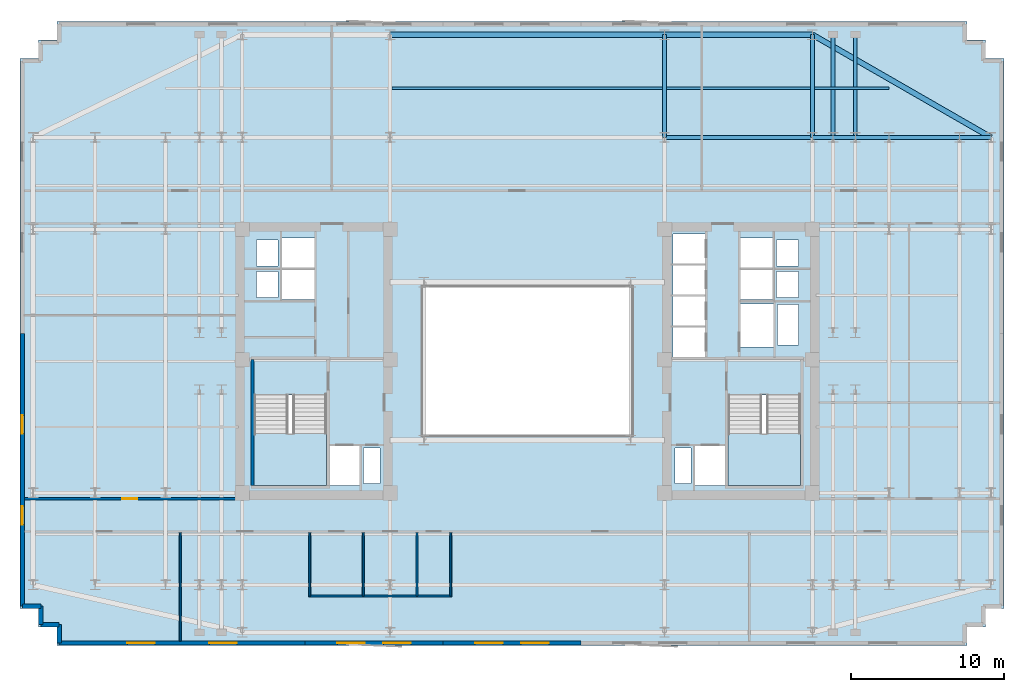
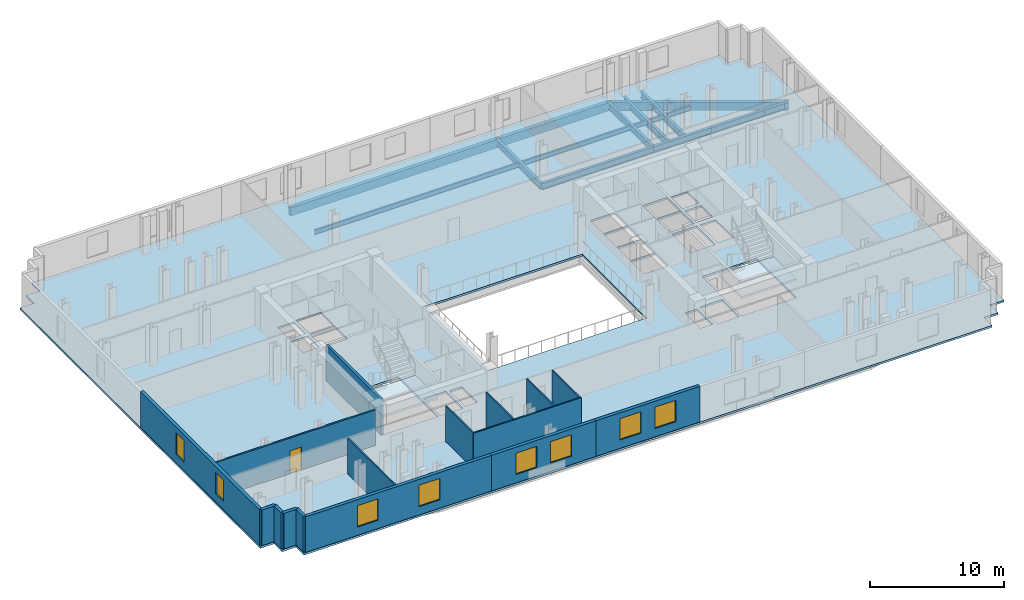
# One storey, part 3 of 10: 16 walls, 14 beams, 8 windows, 3 slabs, 1 door, 9 openings, 2 elements without a shape of their own.
"""IFC4 building model written with IfcOpenShell, lengths in metres."""

from ifc_helpers import new_model, si_unit, direction, frame, frame_2d, origin, origin_2d, place, context, subcontext, project, spatial, polyline, rectangle, i_section, outline, extrude, material, layer, layer_set, material_profile, profile_set, type_object, element, fill, aggregate, save


model = new_model("IFC4")

# Units and contexts
model_context = context("Model", 3, precision=1e-05, world=origin(), true_north=direction((0.0, 1.0)))
body_context = subcontext(model_context, "Body", "Model", "MODEL_VIEW")
ifc_project = project(units=[si_unit("LENGTHUNIT", "METRE"), si_unit("AREAUNIT", "SQUARE_METRE"), si_unit("VOLUMEUNIT", "CUBIC_METRE"), si_unit("PLANEANGLEUNIT", "RADIAN"), si_unit("MASSUNIT", "GRAM", prefix="KILO")], contexts=[model_context])

# Site, building, storey
site_placement = place(None, origin())
site = spatial("IfcSite", under=ifc_project, at=site_placement, CompositionType="ELEMENT")
building_placement = place(site_placement, origin())
building = spatial("IfcBuilding", under=site, at=building_placement, Name="Velakula Bourse", CompositionType="ELEMENT")
storey_placement = place(building_placement, frame((0.0, 0.0, 124.300048828125)))
storey = spatial("IfcBuildingStorey", under=building, at=storey_placement, Name="L33", CompositionType="ELEMENT", Elevation=124.300048828125)

# Beams
ifc_material_1 = material(Name="Steel IS 2062 Grade 350 (E350)", Category="steel")
ifc_material_profile_1 = material_profile(ifc_material_1, i_section(OverallWidth=0.25, OverallDepth=0.60009765625, WebThickness=0.01123046875, FlangeThickness=0.021240234375, at=origin_2d()), Name="Steel IS 2062 Grade 350 (E350)")
ifc_profile_set_1 = profile_set([ifc_material_profile_1], Name="Steel IS 2062 Grade 350 (E350)")
beam_type_1 = type_object("IfcBeamType", Name="BM-GRD-600M", PredefinedType="BEAM", material=ifc_profile_set_1)
beam_1_placement = place(storey_placement, frame((8.949951171875, 14.60009765625, -0.47998046875), z_axis=(1.0, 0.0, 0.0), x_axis=(0.0, 1.0, 0.0)))
element("IfcBeam", 1, at=beam_1_placement, inside=storey, type_object=beam_type_1, Name="L33 Fulcrum Grid Girder FLC-N3", PredefinedType="BEAM", context=body_context, shape_type="SweptSolid", body=[
    extrude(i_section(OverallWidth=0.25, OverallDepth=0.60009765625, WebThickness=0.01123046875, FlangeThickness=0.021240234375, at=origin_2d()), origin(), (0.0, 0.0, 1.0), 9.650146484375),
])
beam_2_placement = place(storey_placement, frame((18.60009765625, 14.60009765625, -0.47998046875), z_axis=(1.0, 0.0, 0.0), x_axis=(0.0, 1.0, 0.0)))
element("IfcBeam", 2, at=beam_2_placement, inside=storey, type_object=beam_type_1, Name="L33 Fulcrum Grid Girder MWG-EN2", PredefinedType="BEAM", context=body_context, shape_type="SweptSolid", body=[
    extrude(i_section(OverallWidth=0.25, OverallDepth=0.60009765625, WebThickness=0.01123046875, FlangeThickness=0.021240234375, at=origin_2d()), origin(), (0.0, 0.0, 1.0), 5.0),
])
beam_3_placement = place(storey_placement, frame((23.60009765625, 14.60009765625, -0.47998046875), z_axis=(1.0, 0.0, 0.0), x_axis=(0.0, 1.0, 0.0)))
element("IfcBeam", 3, at=beam_3_placement, inside=storey, type_object=beam_type_1, Name="L33 Fulcrum Grid Girder WNG-EN2", PredefinedType="BEAM", context=body_context, shape_type="SweptSolid", body=[
    extrude(i_section(OverallWidth=0.25, OverallDepth=0.60009765625, WebThickness=0.01123046875, FlangeThickness=0.021240234375, at=origin_2d()), origin(), (0.0, 0.0, 1.0), 4.599853515625),
])
for number, where, z_axis, x_axis, name in (
    (4, (8.949951171875, 14.60009765625, -0.47998046875), (0.0, 1.0, 0.0), (-1.0, 0.0, 0.0), "L33 Perimeter Tie Girder N3"),
    (5, (18.60009765625, 14.60009765625, -0.47998046875), (0.0, 1.0, 0.0), (-1.0, 0.0, 0.0), "L33 Perimeter Tie Girder N4"),
):
    element("IfcBeam", number, at=place(storey_placement, frame(where, z_axis=z_axis, x_axis=x_axis)), inside=storey, type_object=beam_type_1, Name=name, PredefinedType="BEAM", context=body_context, shape_type="SweptSolid", body=[
        extrude(i_section(OverallWidth=0.25, OverallDepth=0.60009765625, WebThickness=0.01123046875, FlangeThickness=0.021240234375, at=origin_2d()), origin(), (0.0, 0.0, 1.0), 6.699951171875),
    ])
beam_4_placement = place(storey_placement, frame((28.199951171875, 14.60009765625, -0.47998046875), z_axis=(1.0, 0.0, 0.0), x_axis=(0.0, 1.0, 0.0)))
element("IfcBeam", 6, at=beam_4_placement, inside=storey, type_object=beam_type_1, Name="L33 Perimeter Tie Girder E4", PredefinedType="BEAM", context=body_context, shape_type="SweptSolid", body=[
    extrude(i_section(OverallWidth=0.25, OverallDepth=0.60009765625, WebThickness=0.01123046875, FlangeThickness=0.021240234375, at=origin_2d()), origin(), (0.0, 0.0, 1.0), 2.050048828125),
])
for number, where, z_axis, x_axis, name in (
    (7, (19.949951171875, 14.60009765625, -0.47998046875), (0.0, 1.0, 0.0), (-1.0, 0.0, 0.0), "L33 Perimeter Tie Girder P07"),
    (8, (21.39990234375, 14.60009765625, -0.47998046875), (0.0, 1.0, 0.0), (-1.0, 0.0, 0.0), "L33 Perimeter Tie Girder P08"),
):
    element("IfcBeam", number, at=place(storey_placement, frame(where, z_axis=z_axis, x_axis=x_axis)), inside=storey, type_object=beam_type_1, Name=name, PredefinedType="BEAM", context=body_context, shape_type="SweptSolid", body=[
        extrude(i_section(OverallWidth=0.25, OverallDepth=0.60009765625, WebThickness=0.01123046875, FlangeThickness=0.021240234375, at=origin_2d()), origin(), (0.0, 0.0, 1.0), 6.699951171875),
    ])
ifc_material_profile_2 = material_profile(ifc_material_1, i_section(OverallWidth=0.14990234375, OverallDepth=0.449951171875, WebThickness=0.009521484375, FlangeThickness=0.017333984375, at=origin_2d()), Name="Steel IS 2062 Grade 350 (E350)")
ifc_profile_set_2 = profile_set([ifc_material_profile_2], Name="Steel IS 2062 Grade 350 (E350)")
beam_type_2 = type_object("IfcBeamType", Name="JST-TWR-450", PredefinedType="JOIST", material=ifc_profile_set_2)
beam_5_placement = place(storey_placement, frame((-8.824951171875, 17.800048828125, -0.405029296875), z_axis=(1.0, 0.0, 0.0), x_axis=(0.0, 1.0, 0.0)))
element("IfcBeam", 9, at=beam_5_placement, inside=storey, type_object=beam_type_2, Name="L33 Trading Floor Composite Joist 19", PredefinedType="JOIST", context=body_context, shape_type="SweptSolid", body=[
    extrude(i_section(OverallWidth=0.14990234375, OverallDepth=0.449951171875, WebThickness=0.009521484375, FlangeThickness=0.017333984375, at=origin_2d()), origin(), (0.0, 0.0, 1.0), 17.64990234375),
])
beam_6_placement = place(storey_placement, frame((9.074951171875, 17.800048828125, -0.405029296875), z_axis=(1.0, 0.0, 0.0), x_axis=(0.0, 1.0, 0.0)))
element("IfcBeam", 10, at=beam_6_placement, inside=storey, type_object=beam_type_2, Name="L33 Trading Floor Composite Joist 20", PredefinedType="JOIST", context=body_context, shape_type="SweptSolid", body=[
    extrude(i_section(OverallWidth=0.14990234375, OverallDepth=0.449951171875, WebThickness=0.009521484375, FlangeThickness=0.017333984375, at=origin_2d()), origin(), (0.0, 0.0, 1.0), 9.400146484375),
])
beam_7_placement = place(storey_placement, frame((18.72509765625, 17.800048828125, -0.405029296875), z_axis=(1.0, 0.0, 0.0), x_axis=(0.0, 1.0, 0.0)))
element("IfcBeam", 11, at=beam_7_placement, inside=storey, type_object=beam_type_2, Name="L33 Trading Floor Composite Joist 21", PredefinedType="JOIST", context=body_context, shape_type="SweptSolid", body=[
    extrude(i_section(OverallWidth=0.14990234375, OverallDepth=0.449951171875, WebThickness=0.009521484375, FlangeThickness=0.017333984375, at=origin_2d()), origin(), (0.0, 0.0, 1.0), 4.875),
])
ifc_material_2 = material(Name="Precast concrete M45 (fck 45 MPa)", Category="concrete")
ifc_material_profile_3 = material_profile(ifc_material_2, rectangle(XDim=0.35009765625, YDim=0.75, at=origin_2d()), Name="Precast concrete M45 (fck 45 MPa)")
ifc_profile_set_3 = profile_set([ifc_material_profile_3], Name="Precast concrete M45 (fck 45 MPa)")
beam_type_3 = type_object("IfcBeamType", Name="SPN-BRICK-750", PredefinedType="SPANDREL", material=ifc_profile_set_3)
beam_8_placement = place(storey_placement, frame((-8.949951171875, 21.300048828125, -0.554931640625), z_axis=(1.0, 0.0, 0.0), x_axis=(0.0, 1.0, 0.0)))
element("IfcBeam", 12, at=beam_8_placement, inside=storey, type_object=beam_type_3, Name="L33 Brick-Faced Precast Spandrel N2-N3", PredefinedType="SPANDREL", context=body_context, shape_type="SweptSolid", body=[
    extrude(rectangle(XDim=0.35009765625, YDim=0.75, at=origin_2d()), origin(), (0.0, 0.0, 1.0), 17.89990234375),
])
beam_9_placement = place(storey_placement, frame((8.949951171875, 21.300048828125, -0.554931640625), z_axis=(1.0, 0.0, 0.0), x_axis=(0.0, 1.0, 0.0)))
element("IfcBeam", 13, at=beam_9_placement, inside=storey, type_object=beam_type_3, Name="L33 Brick-Faced Precast Spandrel N3-N4", PredefinedType="SPANDREL", context=body_context, shape_type="SweptSolid", body=[
    extrude(rectangle(XDim=0.35009765625, YDim=0.75, at=origin_2d()), origin(), (0.0, 0.0, 1.0), 9.650146484375),
])
beam_10_placement = place(storey_placement, frame((30.25, 14.60009765625, -0.554931640625), z_axis=(-0.866865871572, 0.498541433286, 0.0), x_axis=(-0.498541433286, -0.866865871572, 0.0)))
element("IfcBeam", 14, at=beam_10_placement, inside=storey, type_object=beam_type_3, Name="L33 Brick-Faced Precast Spandrel E4-N4", PredefinedType="SPANDREL", context=body_context, shape_type="SweptSolid", body=[
    extrude(rectangle(XDim=0.35009765625, YDim=0.75, at=origin_2d()), origin(), (0.0, 0.0, 1.0), 13.439208984375),
])

# Stair, slab
ifc_material_3 = material(Name="Concrete M45 (fck 45 MPa)", Category="concrete")
stair_type = type_object("IfcStairType", Name="STR-DOG-390", PredefinedType="HALF_TURN_STAIR", material=ifc_material_3)
stair_1_placement = place(storey_placement, origin())
stair_1 = element("IfcStair", 15, at=stair_1_placement, inside=storey, type_object=stair_type, Name="L33 West Core Exit Stair ST-W1", PredefinedType="HALF_TURN_STAIR")
ifc_layer_1 = layer(ifc_material_3, 0.199951171875, Name="Concrete M45 (fck 45 MPa)", Category="concrete")
ifc_layer_set_1 = layer_set([ifc_layer_1], Name="Concrete M45 (fck 45 MPa)")
slab_type_1 = type_object("IfcSlabType", Name="SLB-STAIR-LND-200", PredefinedType="LANDING", material=ifc_layer_set_1)
slab_1_placement = place(storey_placement, frame((0.0, 0.0, 1.52490234375)))
slab_1 = element("IfcSlab", 16, at=slab_1_placement, type_object=slab_type_1, Name="ST-W1 landing 1", PredefinedType="LANDING", context=body_context, shape_type="SweptSolid", body=[
    extrude(outline(polyline([(-17.820068359375, -4.719970703125), (-17.820068359375, -8.10009765625), (-13.10009765625, -8.10009765625), (-13.10009765625, -4.719970703125), (-17.820068359375, -4.719970703125)])), origin(), (0.0, 0.0, 1.0), 0.199951171875),
])
aggregate(stair_1, [slab_1])

stair_2_placement = place(storey_placement, origin())
stair_2 = element("IfcStair", 17, at=stair_2_placement, inside=storey, type_object=stair_type, Name="L33 East Core Exit Stair ST-E1", PredefinedType="HALF_TURN_STAIR")
slab_2_placement = place(storey_placement, frame((0.0, 0.0, 1.52490234375)))
slab_2 = element("IfcSlab", 18, at=slab_2_placement, type_object=slab_type_1, Name="ST-E1 landing 1", PredefinedType="LANDING", context=body_context, shape_type="SweptSolid", body=[
    extrude(outline(polyline([(13.10009765625, -4.719970703125), (13.10009765625, -8.10009765625), (17.820068359375, -8.10009765625), (17.820068359375, -4.719970703125), (13.10009765625, -4.719970703125)])), origin(), (0.0, 0.0, 1.0), 0.199951171875),
])
aggregate(stair_2, [slab_2])

# Slab
ifc_material_4 = material(Name="Concrete M50 (fck 50 MPa)", Category="concrete")
ifc_layer_2 = layer(ifc_material_4, 0.179931640625, Name="Concrete M50 (fck 50 MPa)", Category="concrete")
ifc_layer_set_2 = layer_set([ifc_layer_2], Name="Concrete M50 (fck 50 MPa)")
slab_type_2 = type_object("IfcSlabType", Name="SLB-TWR-180", PredefinedType="FLOOR", material=ifc_layer_set_2)
slab_3_placement = place(storey_placement, frame((0.0, 0.0, -0.179931640625)))
element("IfcSlab", 19, at=slab_3_placement, inside=storey, type_object=slab_type_2, Name="L33 Suspended Structural Floor Slab", PredefinedType="FLOOR", context=body_context, shape_type="SweptSolid", body=[
    extrude(outline(polyline([(-30.699951171875, -18.550048828125), (28.699951171875, -18.550048828125), (28.699951171875, -17.35009765625), (29.89990234375, -17.35009765625), (29.89990234375, -16.14990234375), (31.10009765625, -16.14990234375), (31.10009765625, 19.75), (29.89990234375, 19.75), (29.89990234375, 20.949951171875), (28.699951171875, 20.949951171875), (28.699951171875, 22.14990234375), (-30.699951171875, 22.14990234375), (-30.699951171875, 20.949951171875), (-31.89990234375, 20.949951171875), (-31.89990234375, 19.75), (-33.10009765625, 19.75), (-33.10009765625, -16.14990234375), (-31.89990234375, -16.14990234375), (-31.89990234375, -17.35009765625), (-30.699951171875, -17.35009765625), (-30.699951171875, -18.550048828125)]), holes=[polyline([(-17.820068359375, -8.10009765625), (-13.10009765625, -8.10009765625), (-13.10009765625, -2.199951171875), (-17.820068359375, -2.199951171875), (-17.820068359375, -8.10009765625)]), polyline([(13.10009765625, -8.10009765625), (17.820068359375, -8.10009765625), (17.820068359375, -2.199951171875), (13.10009765625, -2.199951171875), (13.10009765625, -8.10009765625)]), polyline([(-12.89990234375, -8.10009765625), (-10.949951171875, -8.10009765625), (-10.949951171875, -5.550048828125), (-12.89990234375, -5.550048828125), (-12.89990234375, -8.10009765625)]), polyline([(10.949951171875, -8.10009765625), (12.89990234375, -8.10009765625), (12.89990234375, -5.550048828125), (10.949951171875, -5.550048828125), (10.949951171875, -8.10009765625)]), polyline([(13.89990234375, 0.919921875), (16.050048828125, 0.919921875), (16.050048828125, 3.719970703125), (13.89990234375, 3.719970703125), (13.89990234375, 0.919921875)]), polyline([(-10.679931640625, -7.97998046875), (-9.6201171875, -7.97998046875), (-9.6201171875, -5.669921875), (-10.679931640625, -5.669921875), (-10.679931640625, -7.97998046875)]), polyline([(-17.679931640625, 4.139892578125), (-16.27001953125, 4.139892578125), (-16.27001953125, 5.85009765625), (-17.679931640625, 5.85009765625), (-17.679931640625, 4.139892578125)]), polyline([(-17.679931640625, 6.2099609375), (-16.27001953125, 6.2099609375), (-16.27001953125, 7.919921875), (-17.679931640625, 7.919921875), (-17.679931640625, 6.2099609375)]), polyline([(9.6201171875, -7.97998046875), (10.679931640625, -7.97998046875), (10.679931640625, -5.669921875), (9.6201171875, -5.669921875), (9.6201171875, -7.97998046875)]), polyline([(16.27001953125, 4.139892578125), (17.679931640625, 4.139892578125), (17.679931640625, 5.85009765625), (16.27001953125, 5.85009765625), (16.27001953125, 4.139892578125)]), polyline([(16.27001953125, 6.2099609375), (17.679931640625, 6.2099609375), (17.679931640625, 7.919921875), (16.27001953125, 7.919921875), (16.27001953125, 6.2099609375)]), polyline([(16.320068359375, 1.0400390625), (17.679931640625, 1.0400390625), (17.679931640625, 3.699951171875), (16.320068359375, 3.699951171875), (16.320068359375, 1.0400390625)]), polyline([(9.5, 0.280029296875), (11.60009765625, 0.280029296875), (11.60009765625, 2.199951171875), (9.5, 2.199951171875), (9.5, 0.280029296875)]), polyline([(9.5, 2.31005859375), (11.60009765625, 2.31005859375), (11.60009765625, 4.22998046875), (9.5, 4.22998046875), (9.5, 2.31005859375)]), polyline([(9.5, 4.340087890625), (11.60009765625, 4.340087890625), (11.60009765625, 6.260009765625), (9.5, 6.260009765625), (9.5, 4.340087890625)]), polyline([(9.5, 6.3701171875), (11.60009765625, 6.3701171875), (11.60009765625, 8.2900390625), (9.5, 8.2900390625), (9.5, 6.3701171875)]), polyline([(-16.0, 4.02001953125), (-13.89990234375, 4.02001953125), (-13.89990234375, 5.969970703125), (-16.0, 5.969970703125), (-16.0, 4.02001953125)]), polyline([(-16.0, 6.090087890625), (-13.89990234375, 6.090087890625), (-13.89990234375, 8.0400390625), (-16.0, 8.0400390625), (-16.0, 6.090087890625)]), polyline([(13.89990234375, 4.02001953125), (16.0, 4.02001953125), (16.0, 5.969970703125), (13.89990234375, 5.969970703125), (13.89990234375, 4.02001953125)]), polyline([(13.89990234375, 6.090087890625), (16.0, 6.090087890625), (16.0, 8.0400390625), (13.89990234375, 8.0400390625), (13.89990234375, 6.090087890625)]), polyline([(-6.800048828125, -4.800048828125), (6.800048828125, -4.800048828125), (6.800048828125, 4.800048828125), (-6.800048828125, 4.800048828125), (-6.800048828125, -4.800048828125)])]), origin(), (0.0, 0.0, 1.0), 0.179931640625),
])

# Wall
ifc_layer_3 = layer(ifc_material_4, 0.2099609375, Name="Concrete M50 (fck 50 MPa)", Category="concrete")
ifc_layer_set_3 = layer_set([ifc_layer_3], Name="Concrete M50 (fck 50 MPa)")
wall_type_1 = type_object("IfcWallType", Name="WL-CORE-210", PredefinedType="SHEAR", material=ifc_layer_set_3)
wall_1_placement = place(storey_placement, frame((-17.925048828125, -8.10009765625, 0.0), z_axis=(0.0, 0.0, 1.0), x_axis=(0.0, 1.0, 0.0)))
element("IfcWall", 20, at=wall_1_placement, inside=storey, type_object=wall_type_1, Name="L33 Core W Stairwell Shear Wall OUT", PredefinedType="SHEAR", context=body_context, shape_type="SweptSolid", body=[
    extrude(rectangle(XDim=8.2001953125, YDim=0.2099609375, at=frame_2d((4.10009765625, 0.0))), origin(), (0.0, 0.0, 1.0), 3.27001953125),
])

# Wall, openings, windows
ifc_material_5 = material(Name="Red kilned clay facing brick masonry", Category="masonry")
ifc_layer_4 = layer(ifc_material_5, 0.280029296875, Name="Red kilned clay facing brick masonry", Category="masonry")
ifc_layer_set_4 = layer_set([ifc_layer_4], Name="Red kilned clay facing brick masonry")
wall_type_2 = type_object("IfcWallType", Name="WL-EXT-BRK-280", PredefinedType="STANDARD", material=ifc_layer_set_4)
wall_2_placement = place(storey_placement, frame((-14.5, -18.389892578125, 0.0), z_axis=(0.0, 0.0, 1.0), x_axis=(-1.0, 0.0, 0.0)))
wall_2 = element("IfcWall", 21, at=wall_2_placement, inside=storey, type_object=wall_type_2, Name="L33 S Brick Spandrel Wall B1", PredefinedType="STANDARD", context=body_context, shape_type="SweptSolid", body=[
    extrude(rectangle(XDim=16.0400390625, YDim=0.280029296875, at=frame_2d((8.02001953125, 0.0))), origin(), (0.0, 0.0, 1.0), 3.25),
])
opening_1_placement = place(wall_2_placement, frame((4.44677734375, 0.0, 0.760009765625)))
opening_1 = element("IfcOpeningElement", 22, at=opening_1_placement, cuts=wall_2, Name="Opening W-01", PredefinedType="OPENING", context=body_context, shape_type="SweptSolid", body=[
    extrude(rectangle(XDim=1.800048828125, YDim=1.949951171875, at=frame_2d((0.89990234375, 0.97509765625))), frame((0.0, 0.14990234375, 0.0), z_axis=(0.0, -1.0, 0.0), x_axis=(1.0, 0.0, 0.0)), (0.0, 0.0, 1.0), 0.300048828125),
])
opening_2_placement = place(wall_2_placement, frame((9.793212890625, 0.0, 0.760009765625)))
opening_2 = element("IfcOpeningElement", 23, at=opening_2_placement, cuts=wall_2, Name="Opening W-01", PredefinedType="OPENING", context=body_context, shape_type="SweptSolid", body=[
    extrude(rectangle(XDim=1.800048828125, YDim=1.949951171875, at=frame_2d((0.89990234375, 0.97509765625))), frame((0.0, 0.14990234375, 0.0), z_axis=(0.0, -1.0, 0.0), x_axis=(1.0, 0.0, 0.0)), (0.0, 0.0, 1.0), 0.300048828125),
])
ifc_material_6 = material(Name="Double-glazed solar-control Low-E glass", Category="glass")
window_type_1 = type_object("IfcWindowType", Name="WIN-TWR-1800x2100", PartitioningType="SINGLE_PANEL", PredefinedType="WINDOW", material=ifc_material_6)
window_1_placement = place(opening_1_placement, origin())
window_1 = element("IfcWindow", 24, at=window_1_placement, inside=storey, type_object=window_type_1, Name="L33 Deep-Set Recessed Window 1", OverallHeight=1.949951171875, OverallWidth=1.800048828125, PartitioningType="SINGLE_PANEL", PredefinedType="WINDOW", context=body_context, shape_type="SweptSolid", body=[
    extrude(rectangle(XDim=1.800048828125, YDim=1.949951171875, at=frame_2d((0.89990234375, 0.97509765625))), frame((0.0, 0.030029296875, 0.0), z_axis=(0.0, -1.0, 0.0), x_axis=(1.0, 0.0, 0.0)), (0.0, 0.0, 1.0), 0.06005859375),
])
fill(opening_1, window_1)
window_2_placement = place(opening_2_placement, origin())
window_2 = element("IfcWindow", 25, at=window_2_placement, inside=storey, type_object=window_type_1, Name="L33 Deep-Set Recessed Window 2", OverallHeight=1.949951171875, OverallWidth=1.800048828125, PartitioningType="SINGLE_PANEL", PredefinedType="WINDOW", context=body_context, shape_type="SweptSolid", body=[
    extrude(rectangle(XDim=1.800048828125, YDim=1.949951171875, at=frame_2d((0.89990234375, 0.97509765625))), frame((0.0, 0.030029296875, 0.0), z_axis=(0.0, -1.0, 0.0), x_axis=(1.0, 0.0, 0.0)), (0.0, 0.0, 1.0), 0.06005859375),
])
fill(opening_2, window_2)

wall_3_placement = place(storey_placement, frame((-5.5, -18.389892578125, 0.0), z_axis=(0.0, 0.0, 1.0), x_axis=(-1.0, 0.0, 0.0)))
wall_3 = element("IfcWall", 26, at=wall_3_placement, inside=storey, type_object=wall_type_2, Name="L33 S Brick Spandrel Wall B2", PredefinedType="STANDARD", context=body_context, shape_type="SweptSolid", body=[
    extrude(rectangle(XDim=9.0, YDim=0.280029296875, at=frame_2d((4.5, 0.0))), origin(), (0.0, 0.0, 1.0), 3.25),
])
opening_3_placement = place(wall_3_placement, frame((2.10009765625, 0.0, 0.760009765625)))
opening_3 = element("IfcOpeningElement", 27, at=opening_3_placement, cuts=wall_3, Name="Opening W-01", PredefinedType="OPENING", context=body_context, shape_type="SweptSolid", body=[
    extrude(rectangle(XDim=1.800048828125, YDim=1.949951171875, at=frame_2d((0.89990234375, 0.97509765625))), frame((0.0, 0.14990234375, 0.0), z_axis=(0.0, -1.0, 0.0), x_axis=(1.0, 0.0, 0.0)), (0.0, 0.0, 1.0), 0.300048828125),
])
opening_4_placement = place(wall_3_placement, frame((5.10009765625, 0.0, 0.760009765625)))
opening_4 = element("IfcOpeningElement", 28, at=opening_4_placement, cuts=wall_3, Name="Opening W-01", PredefinedType="OPENING", context=body_context, shape_type="SweptSolid", body=[
    extrude(rectangle(XDim=1.800048828125, YDim=1.949951171875, at=frame_2d((0.89990234375, 0.97509765625))), frame((0.0, 0.14990234375, 0.0), z_axis=(0.0, -1.0, 0.0), x_axis=(1.0, 0.0, 0.0)), (0.0, 0.0, 1.0), 0.300048828125),
])
window_3_placement = place(opening_3_placement, origin())
window_3 = element("IfcWindow", 29, at=window_3_placement, inside=storey, type_object=window_type_1, Name="L33 Deep-Set Recessed Window 1", OverallHeight=1.949951171875, OverallWidth=1.800048828125, PartitioningType="SINGLE_PANEL", PredefinedType="WINDOW", context=body_context, shape_type="SweptSolid", body=[
    extrude(rectangle(XDim=1.800048828125, YDim=1.949951171875, at=frame_2d((0.89990234375, 0.97509765625))), frame((0.0, 0.030029296875, 0.0), z_axis=(0.0, -1.0, 0.0), x_axis=(1.0, 0.0, 0.0)), (0.0, 0.0, 1.0), 0.06005859375),
])
fill(opening_3, window_3)
window_4_placement = place(opening_4_placement, origin())
window_4 = element("IfcWindow", 30, at=window_4_placement, inside=storey, type_object=window_type_1, Name="L33 Deep-Set Recessed Window 2", OverallHeight=1.949951171875, OverallWidth=1.800048828125, PartitioningType="SINGLE_PANEL", PredefinedType="WINDOW", context=body_context, shape_type="SweptSolid", body=[
    extrude(rectangle(XDim=1.800048828125, YDim=1.949951171875, at=frame_2d((0.89990234375, 0.97509765625))), frame((0.0, 0.030029296875, 0.0), z_axis=(0.0, -1.0, 0.0), x_axis=(1.0, 0.0, 0.0)), (0.0, 0.0, 1.0), 0.06005859375),
])
fill(opening_4, window_4)

wall_4_placement = place(storey_placement, frame((3.5, -18.389892578125, 0.0), z_axis=(0.0, 0.0, 1.0), x_axis=(-1.0, 0.0, 0.0)))
wall_4 = element("IfcWall", 31, at=wall_4_placement, inside=storey, type_object=wall_type_2, Name="L33 S Brick Spandrel Wall B3", PredefinedType="STANDARD", context=body_context, shape_type="SweptSolid", body=[
    extrude(rectangle(XDim=9.0, YDim=0.280029296875, at=frame_2d((4.5, 0.0))), origin(), (0.0, 0.0, 1.0), 3.25),
])
opening_5_placement = place(wall_4_placement, frame((2.10009765625, 0.0, 0.760009765625)))
opening_5 = element("IfcOpeningElement", 32, at=opening_5_placement, cuts=wall_4, Name="Opening W-01", PredefinedType="OPENING", context=body_context, shape_type="SweptSolid", body=[
    extrude(rectangle(XDim=1.800048828125, YDim=1.949951171875, at=frame_2d((0.89990234375, 0.97509765625))), frame((0.0, 0.14990234375, 0.0), z_axis=(0.0, -1.0, 0.0), x_axis=(1.0, 0.0, 0.0)), (0.0, 0.0, 1.0), 0.300048828125),
])
opening_6_placement = place(wall_4_placement, frame((5.10009765625, 0.0, 0.760009765625)))
opening_6 = element("IfcOpeningElement", 33, at=opening_6_placement, cuts=wall_4, Name="Opening W-01", PredefinedType="OPENING", context=body_context, shape_type="SweptSolid", body=[
    extrude(rectangle(XDim=1.800048828125, YDim=1.949951171875, at=frame_2d((0.89990234375, 0.97509765625))), frame((0.0, 0.14990234375, 0.0), z_axis=(0.0, -1.0, 0.0), x_axis=(1.0, 0.0, 0.0)), (0.0, 0.0, 1.0), 0.300048828125),
])
window_5_placement = place(opening_5_placement, origin())
window_5 = element("IfcWindow", 34, at=window_5_placement, inside=storey, type_object=window_type_1, Name="L33 Deep-Set Recessed Window 1", OverallHeight=1.949951171875, OverallWidth=1.800048828125, PartitioningType="SINGLE_PANEL", PredefinedType="WINDOW", context=body_context, shape_type="SweptSolid", body=[
    extrude(rectangle(XDim=1.800048828125, YDim=1.949951171875, at=frame_2d((0.89990234375, 0.97509765625))), frame((0.0, 0.030029296875, 0.0), z_axis=(0.0, -1.0, 0.0), x_axis=(1.0, 0.0, 0.0)), (0.0, 0.0, 1.0), 0.06005859375),
])
fill(opening_5, window_5)
window_6_placement = place(opening_6_placement, origin())
window_6 = element("IfcWindow", 35, at=window_6_placement, inside=storey, type_object=window_type_1, Name="L33 Deep-Set Recessed Window 2", OverallHeight=1.949951171875, OverallWidth=1.800048828125, PartitioningType="SINGLE_PANEL", PredefinedType="WINDOW", context=body_context, shape_type="SweptSolid", body=[
    extrude(rectangle(XDim=1.800048828125, YDim=1.949951171875, at=frame_2d((0.89990234375, 0.97509765625))), frame((0.0, 0.030029296875, 0.0), z_axis=(0.0, -1.0, 0.0), x_axis=(1.0, 0.0, 0.0)), (0.0, 0.0, 1.0), 0.06005859375),
])
fill(opening_6, window_6)

wall_5_placement = place(storey_placement, frame((-32.93994140625, -15.989990234375, 0.0), z_axis=(0.0, 0.0, 1.0), x_axis=(0.0, 1.0, 0.0)))
wall_5 = element("IfcWall", 36, at=wall_5_placement, inside=storey, type_object=wall_type_2, Name="L33 W Brick End Wall W1", PredefinedType="STANDARD", context=body_context, shape_type="SweptSolid", body=[
    extrude(rectangle(XDim=17.7900390625, YDim=0.280029296875, at=frame_2d((8.89501953125, 0.0))), origin(), (0.0, 0.0, 1.0), 3.25),
])
opening_7_placement = place(wall_5_placement, frame((5.330078125, 0.0, 0.760009765625)))
opening_7 = element("IfcOpeningElement", 37, at=opening_7_placement, cuts=wall_5, Name="Opening W-04", PredefinedType="OPENING", context=body_context, shape_type="SweptSolid", body=[
    extrude(rectangle(XDim=1.199951171875, YDim=1.949951171875, at=frame_2d((0.60009765625, 0.97509765625))), frame((0.0, 0.14990234375, 0.0), z_axis=(0.0, -1.0, 0.0), x_axis=(1.0, 0.0, 0.0)), (0.0, 0.0, 1.0), 0.300048828125),
])
opening_8_placement = place(wall_5_placement, frame((11.260009765625, 0.0, 0.760009765625)))
opening_8 = element("IfcOpeningElement", 38, at=opening_8_placement, cuts=wall_5, Name="Opening W-04", PredefinedType="OPENING", context=body_context, shape_type="SweptSolid", body=[
    extrude(rectangle(XDim=1.199951171875, YDim=1.949951171875, at=frame_2d((0.60009765625, 0.97509765625))), frame((0.0, 0.14990234375, 0.0), z_axis=(0.0, -1.0, 0.0), x_axis=(1.0, 0.0, 0.0)), (0.0, 0.0, 1.0), 0.300048828125),
])
window_type_2 = type_object("IfcWindowType", Name="WIN-TWR-1200x2100", PartitioningType="SINGLE_PANEL", PredefinedType="WINDOW", material=ifc_material_6)
window_7_placement = place(opening_7_placement, origin())
window_7 = element("IfcWindow", 39, at=window_7_placement, inside=storey, type_object=window_type_2, Name="L33 Deep-Set Recessed Window 1", OverallHeight=1.949951171875, OverallWidth=1.199951171875, PartitioningType="SINGLE_PANEL", PredefinedType="WINDOW", context=body_context, shape_type="SweptSolid", body=[
    extrude(rectangle(XDim=1.199951171875, YDim=1.949951171875, at=frame_2d((0.60009765625, 0.97509765625))), frame((0.0, 0.030029296875, 0.0), z_axis=(0.0, -1.0, 0.0), x_axis=(1.0, 0.0, 0.0)), (0.0, 0.0, 1.0), 0.06005859375),
])
fill(opening_7, window_7)
window_8_placement = place(opening_8_placement, origin())
window_8 = element("IfcWindow", 40, at=window_8_placement, inside=storey, type_object=window_type_2, Name="L33 Deep-Set Recessed Window 2", OverallHeight=1.949951171875, OverallWidth=1.199951171875, PartitioningType="SINGLE_PANEL", PredefinedType="WINDOW", context=body_context, shape_type="SweptSolid", body=[
    extrude(rectangle(XDim=1.199951171875, YDim=1.949951171875, at=frame_2d((0.60009765625, 0.97509765625))), frame((0.0, 0.030029296875, 0.0), z_axis=(0.0, -1.0, 0.0), x_axis=(1.0, 0.0, 0.0)), (0.0, 0.0, 1.0), 0.06005859375),
])
fill(opening_8, window_8)

# Walls
for number, where, z_axis, x_axis, name in (
    (41, (-32.93994140625, -15.989990234375, 0.0), (0.0, 0.0, 1.0), (1.0, 0.0, 0.0), "L33 Serrated Corner Brick Wall SW-1"),
    (42, (-31.739990234375, -15.989990234375, 0.0), (0.0, 0.0, 1.0), (0.0, -1.0, 0.0), "L33 Serrated Corner Brick Wall SW-2"),
    (43, (-31.739990234375, -17.18994140625, 0.0), (0.0, 0.0, 1.0), (1.0, 0.0, 0.0), "L33 Serrated Corner Brick Wall SW-3"),
    (44, (-30.5400390625, -17.18994140625, 0.0), (0.0, 0.0, 1.0), (0.0, -1.0, 0.0), "L33 Serrated Corner Brick Wall SW-4"),
):
    element("IfcWall", number, at=place(storey_placement, frame(where, z_axis=z_axis, x_axis=x_axis)), inside=storey, type_object=wall_type_2, Name=name, PredefinedType="STANDARD", context=body_context, shape_type="SweptSolid", body=[
        extrude(rectangle(XDim=1.199951171875, YDim=0.280029296875, at=frame_2d((0.60009765625, 0.0))), origin(), (0.0, 0.0, 1.0), 3.25),
    ])
ifc_material_7 = material(Name="Fire-rated double-layer gypsum drywall partition", Category="gypsum")
ifc_layer_5 = layer(ifc_material_7, 0.1201171875, Name="Fire-rated double-layer gypsum drywall partition", Category="gypsum")
ifc_layer_set_5 = layer_set([ifc_layer_5], Name="Fire-rated double-layer gypsum drywall partition")
wall_type_3 = type_object("IfcWallType", Name="WL-PART-120", PredefinedType="STANDARD", material=ifc_layer_set_5)
wall_6_placement = place(storey_placement, frame((-14.260009765625, -15.320068359375, 0.0), z_axis=(0.0, 0.0, 1.0), x_axis=(1.0, 0.0, 0.0)))
element("IfcWall", 45, at=wall_6_placement, inside=storey, type_object=wall_type_3, Name="L33 Interior Partition WL-WC-L33-BACK", PredefinedType="STANDARD", context=body_context, shape_type="SweptSolid", body=[
    extrude(rectangle(XDim=9.320068359375, YDim=0.1201171875, at=frame_2d((4.66015625, 0.0))), origin(), (0.0, 0.0, 1.0), 3.25),
])
for number, where, z_axis, x_axis, name in (
    (46, (-14.199951171875, -15.320068359375, 0.0), (0.0, 0.0, 1.0), (0.0, 1.0, 0.0), "L33 Interior Partition WL-WC-L33-V1"),
    (47, (-10.699951171875, -15.320068359375, 0.0), (0.0, 0.0, 1.0), (0.0, 1.0, 0.0), "L33 Interior Partition WL-WC-L33-V2"),
    (48, (-7.199951171875, -15.320068359375, 0.0), (0.0, 0.0, 1.0), (0.0, 1.0, 0.0), "L33 Interior Partition WL-WC-L33-V3"),
    (49, (-5.0, -15.320068359375, 0.0), (0.0, 0.0, 1.0), (0.0, 1.0, 0.0), "L33 Interior Partition WL-WC-L33-V4"),
):
    element("IfcWall", number, at=place(storey_placement, frame(where, z_axis=z_axis, x_axis=x_axis)), inside=storey, type_object=wall_type_3, Name=name, PredefinedType="STANDARD", context=body_context, shape_type="SweptSolid", body=[
        extrude(rectangle(XDim=4.130126953125, YDim=0.1201171875, at=frame_2d((2.06494140625, 0.0))), origin(), (0.0, 0.0, 1.0), 3.25),
    ])
wall_7_placement = place(storey_placement, frame((-22.64501953125, -18.27001953125, 0.0), z_axis=(0.0, 0.0, 1.0), x_axis=(0.0, 1.0, 0.0)))
element("IfcWall", 50, at=wall_7_placement, inside=storey, type_object=wall_type_3, Name="L33 Interior Partition WL-INT-L33-SL-D5", PredefinedType="STANDARD", context=body_context, shape_type="SweptSolid", body=[
    extrude(rectangle(XDim=7.080078125, YDim=0.1201171875, at=frame_2d((3.5400390625, 0.0))), origin(), (0.0, 0.0, 1.0), 3.25),
])

# Wall, opening, door
ifc_layer_6 = layer(ifc_material_7, 0.139892578125, Name="Fire-rated double-layer gypsum drywall partition", Category="gypsum")
ifc_layer_set_6 = layer_set([ifc_layer_6], Name="Fire-rated double-layer gypsum drywall partition")
wall_type_4 = type_object("IfcWallType", Name="WL-PART-140", PredefinedType="STANDARD", material=ifc_layer_set_6)
wall_8_placement = place(storey_placement, frame((-32.820068359375, -8.97998046875, 0.0), z_axis=(0.0, 0.0, 1.0), x_axis=(1.0, 0.0, 0.0)))
wall_8 = element("IfcWall", 51, at=wall_8_placement, inside=storey, type_object=wall_type_4, Name="L33 Interior Partition WL-INT-L33-W-SC", PredefinedType="STANDARD", context=body_context, shape_type="SweptSolid", body=[
    extrude(rectangle(XDim=13.77001953125, YDim=0.139892578125, at=frame_2d((6.885009765625, 0.0))), origin(), (0.0, 0.0, 1.0), 3.25),
])
opening_9_placement = place(wall_8_placement, frame((6.385009765625, 0.0, 0.0)))
opening_9 = element("IfcOpeningElement", 52, at=opening_9_placement, cuts=wall_8, Name="Opening D-OF1", PredefinedType="OPENING", context=body_context, shape_type="SweptSolid", body=[
    extrude(rectangle(XDim=1.0, YDim=2.080078125, at=frame_2d((0.5, 1.0400390625))), frame((0.0, 0.079833984375, 0.0), z_axis=(0.0, -1.0, 0.0), x_axis=(1.0, 0.0, 0.0)), (0.0, 0.0, 1.0), 0.159912109375),
])
ifc_material_8 = material(Name="Fire-rated hardwood flush architectural door", Category="wood")
door_type = type_object("IfcDoorType", Name="DR-OFF-1000", OperationType="NOTDEFINED", PredefinedType="DOOR", material=ifc_material_8)
door_placement = place(opening_9_placement, origin())
door = element("IfcDoor", 53, at=door_placement, inside=storey, type_object=door_type, Name="L33 Sovereign Debt Trading Workspace Door", OperationType="SINGLE_SWING_RIGHT", OverallHeight=2.080078125, OverallWidth=1.0, PredefinedType="DOOR", context=body_context, shape_type="SweptSolid", body=[
    extrude(rectangle(XDim=1.0, YDim=2.080078125, at=frame_2d((0.5, 1.0400390625))), frame((0.0, 0.02490234375, 0.0), z_axis=(0.0, -1.0, 0.0), x_axis=(1.0, 0.0, 0.0)), (0.0, 0.0, 1.0), 0.050048828125),
])
fill(opening_9, door)

save(model, "model.ifc")
